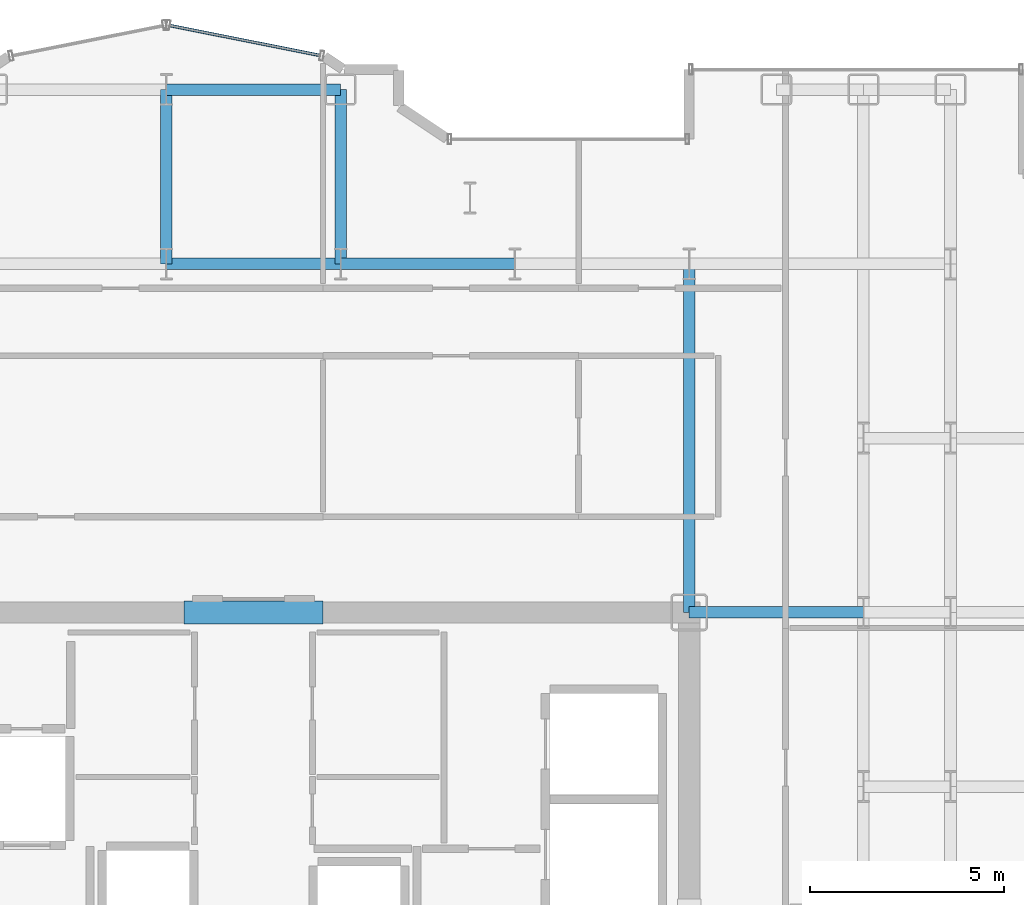
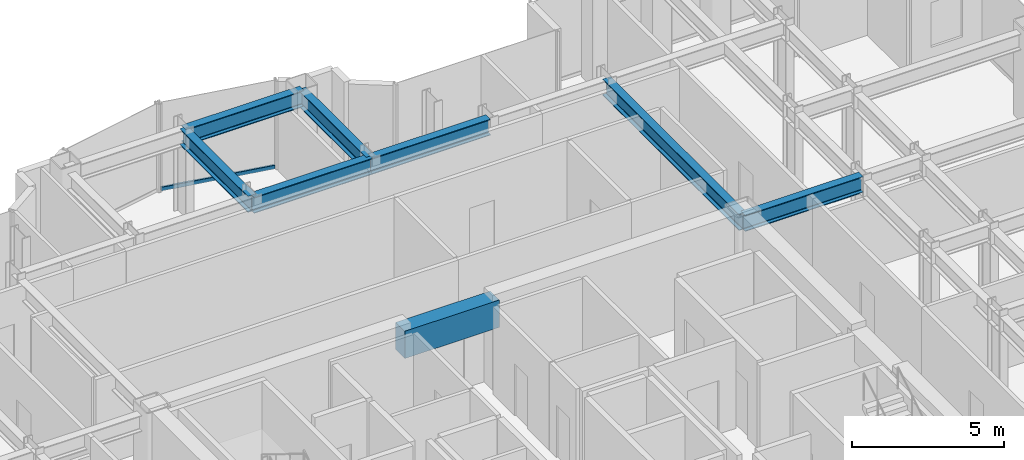
# One storey, part 15 of 27: 8 beams, 1 member, 1 element without a shape of its own.
"""IFC4 building model written with IfcOpenShell, lengths in metres."""

from ifc_helpers import new_model, si_unit, direction, frame, origin, origin_2d, place, context, subcontext, project, spatial, rectangle, hollow_rectangle, i_section, extrude, source, transform, mapped, material, layer, layer_set, material_profile, profile_set, type_object, element, aggregate, save


model = new_model("IFC4")

# Units and contexts
model_context = context("Model", 3, precision=1e-05, world=origin(), true_north=direction((0.0, 1.0)))
body_context = subcontext(model_context, "Body", "Model", "MODEL_VIEW")
ifc_project = project(units=[si_unit("LENGTHUNIT", "METRE"), si_unit("AREAUNIT", "SQUARE_METRE"), si_unit("VOLUMEUNIT", "CUBIC_METRE"), si_unit("PLANEANGLEUNIT", "RADIAN"), si_unit("MASSUNIT", "GRAM", prefix="KILO")], contexts=[model_context])

# Site, building, storey
site_placement = place(None, origin())
site = spatial("IfcSite", under=ifc_project, at=site_placement, CompositionType="ELEMENT")
building_placement = place(site_placement, origin())
building = spatial("IfcBuilding", under=site, at=building_placement, Name="Nefas-Gora Pilgrimage Tower", CompositionType="ELEMENT")
storey_placement = place(building_placement, frame((0.0, 0.0, 183.0)))
storey = spatial("IfcBuildingStorey", under=building, at=storey_placement, Name="L45", CompositionType="ELEMENT", Elevation=183.0)

# Beams
ifc_material_1 = material(Name="Concrete C60/75", Category="concrete")
ifc_material_profile_1 = material_profile(ifc_material_1, rectangle(XDim=0.60009765625, YDim=1.10009765625, at=origin_2d()), Name="RC 600x1100")
ifc_profile_set_1 = profile_set([ifc_material_profile_1], Name="Concrete C60/75")
beam_type_1 = type_object("IfcBeamType", Name="BM-LIN-RC1100", PredefinedType="LINTEL", material=ifc_profile_set_1)
shared_shape_1 = source(origin(), body_context, "Body", "SweptSolid", [
    extrude(rectangle(XDim=0.60009765625, YDim=1.10009765625, at=origin_2d()), origin(), (0.0, 0.0, 1.0), 3.60009765625),
])
beam_1_placement = place(storey_placement, frame((-1.800048828125, 9.0, 3.0), z_axis=(1.0, 0.0, 0.0), x_axis=(0.0, 1.0, 0.0)))
element("IfcBeam", 1, at=beam_1_placement, inside=storey, type_object=beam_type_1, Name="L45 Core Coupling Lintel Beam N", PredefinedType="LINTEL", context=body_context, shape_type="MappedRepresentation", body=[
    mapped(shared_shape_1, transform((0.0, 0.0, 0.0), x_axis=(1.0, 0.0, 0.0), y_axis=(0.0, 1.0, 0.0), z_axis=(0.0, 0.0, 1.0), scale=1.0)),
])
ifc_material_2 = material(Name="Steel S355", Category="steel")
ifc_material_profile_2 = material_profile(ifc_material_2, i_section(OverallWidth=0.300048828125, OverallDepth=0.64990234375, WebThickness=0.01611328125, FlangeThickness=0.031005859375, FilletRadius=0.027099609375, at=origin_2d()), Name="HEB 650")
ifc_profile_set_2 = profile_set([ifc_material_profile_2], Name="Steel S355")
beam_type_2 = type_object("IfcBeamType", Name="BM-GIR-HEB650", PredefinedType="BEAM", material=ifc_profile_set_2)
shared_shape_2 = source(origin(), body_context, "Body", "SweptSolid", [
    extrude(i_section(OverallWidth=0.300048828125, OverallDepth=0.64990234375, WebThickness=0.01611328125, FlangeThickness=0.031005859375, FilletRadius=0.027099609375, at=origin_2d()), origin(), (0.0, 0.0, 1.0), 9.0),
])
beam_2_placement = place(storey_placement, frame((11.25, 9.0, 3.22509765625), z_axis=(0.0, 1.0, 0.0), x_axis=(-1.0, 0.0, 0.0)))
element("IfcBeam", 2, at=beam_2_placement, inside=storey, type_object=beam_type_2, Name="L45 G-03 beam", PredefinedType="BEAM", context=body_context, shape_type="MappedRepresentation", body=[
    mapped(shared_shape_2, transform((0.0, 0.0, 0.0), x_axis=(1.0, 0.0, 0.0), y_axis=(0.0, 1.0, 0.0), z_axis=(0.0, 0.0, 1.0), scale=1.0)),
])
shared_shape_3 = source(origin(), body_context, "Body", "SweptSolid", [
    extrude(i_section(OverallWidth=0.300048828125, OverallDepth=0.64990234375, WebThickness=0.01611328125, FlangeThickness=0.031005859375, FilletRadius=0.027099609375, at=origin_2d()), origin(), (0.0, 0.0, 1.0), 4.5),
])
for number, where, z_axis, x_axis, name in (
    (3, (-2.25, 18.0, 3.22509765625), (0.0, 1.0, 0.0), (-1.0, 0.0, 0.0), "L45 G-03 beam"),
    (4, (-2.25, 18.0, 3.22509765625), (1.0, 0.0, 0.0), (0.0, 1.0, 0.0), "L45 G-03 beam"),
    (5, (-2.25, 22.5, 3.22509765625), (1.0, 0.0, 0.0), (0.0, 1.0, 0.0), "L45 G-03 beam"),
    (6, (2.25, 18.0, 3.22509765625), (0.0, 1.0, 0.0), (-1.0, 0.0, 0.0), "L45 G-03 beam"),
    (7, (2.25, 18.0, 3.22509765625), (1.0, 0.0, 0.0), (0.0, 1.0, 0.0), "L45 G-03 beam"),
    (8, (11.25, 9.0, 3.22509765625), (1.0, 0.0, 0.0), (0.0, 1.0, 0.0), "L45 G-03 beam"),
):
    element("IfcBeam", number, at=place(storey_placement, frame(where, z_axis=z_axis, x_axis=x_axis)), inside=storey, type_object=beam_type_2, Name=name, PredefinedType="BEAM", context=body_context, shape_type="MappedRepresentation", body=[
        mapped(shared_shape_3, transform((0.0, 0.0, 0.0), x_axis=(1.0, 0.0, 0.0), y_axis=(0.0, 1.0, 0.0), z_axis=(0.0, 0.0, 1.0), scale=1.0)),
    ])

# Curtain wall, member
ifc_material_3 = material(Name="Dark ceramic-fritted solar-control aluminium-glass curtain wall", Category="aluminium")
ifc_layer = layer(ifc_material_3, 0.219970703125)
ifc_layer_set = layer_set([ifc_layer], Name="Dark ceramic-fritted solar-control aluminium-glass curtain wall")
curtain_wall_type = type_object("IfcCurtainWallType", Name="CW-SYS-5", PredefinedType="NOTDEFINED", material=ifc_layer_set)
curtain_wall_placement = place(storey_placement, origin())
curtain_wall = element("IfcCurtainWall", 9, at=curtain_wall_placement, inside=storey, type_object=curtain_wall_type, Name="L45 Unitised Curtain Wall CW5", PredefinedType="NOTDEFINED")
ifc_material_4 = material(Name="Anodised architectural aluminium", Category="aluminium")
ifc_material_profile_3 = material_profile(ifc_material_4, hollow_rectangle(XDim=0.080078125, YDim=0.159912109375, WallThickness=0.00439453125, InnerFilletRadius=0.00439453125, OuterFilletRadius=0.009033203125, at=origin_2d()), Name="ALU TRANSOM 80x160")
ifc_profile_set_3 = profile_set([ifc_material_profile_3], Name="Anodised architectural aluminium")
member_type = type_object("IfcMemberType", Name="CWM-TRN-5", PredefinedType="USERDEFINED", material=ifc_profile_set_3)
shared_shape_4 = source(origin(), body_context, "Body", "SweptSolid", [
    extrude(hollow_rectangle(XDim=0.080078125, YDim=0.159912109375, WallThickness=0.00439453125, InnerFilletRadius=0.00439453125, OuterFilletRadius=0.009033203125, at=origin_2d()), origin(), (0.0, 0.0, 1.0), 3.95654296875),
])
member_placement = place(storey_placement, frame((1.718994140625, 23.3828125, 0.050048828125), z_axis=(-0.980781880918, 0.195107411605, 0.0), x_axis=(-0.195107411605, -0.980781880918, 0.0)))
member = element("IfcMember", 10, at=member_placement, type_object=member_type, Name="CW5 Spandrel Transom", ObjectType="TRANSOM", PredefinedType="USERDEFINED", context=body_context, shape_type="MappedRepresentation", body=[
    mapped(shared_shape_4, transform((0.0, 0.0, 0.0), x_axis=(1.0, 0.0, 0.0), y_axis=(0.0, 1.0, 0.0), z_axis=(0.0, 0.0, 1.0), scale=1.0)),
])
aggregate(curtain_wall, [member])

save(model, "model.ifc")
